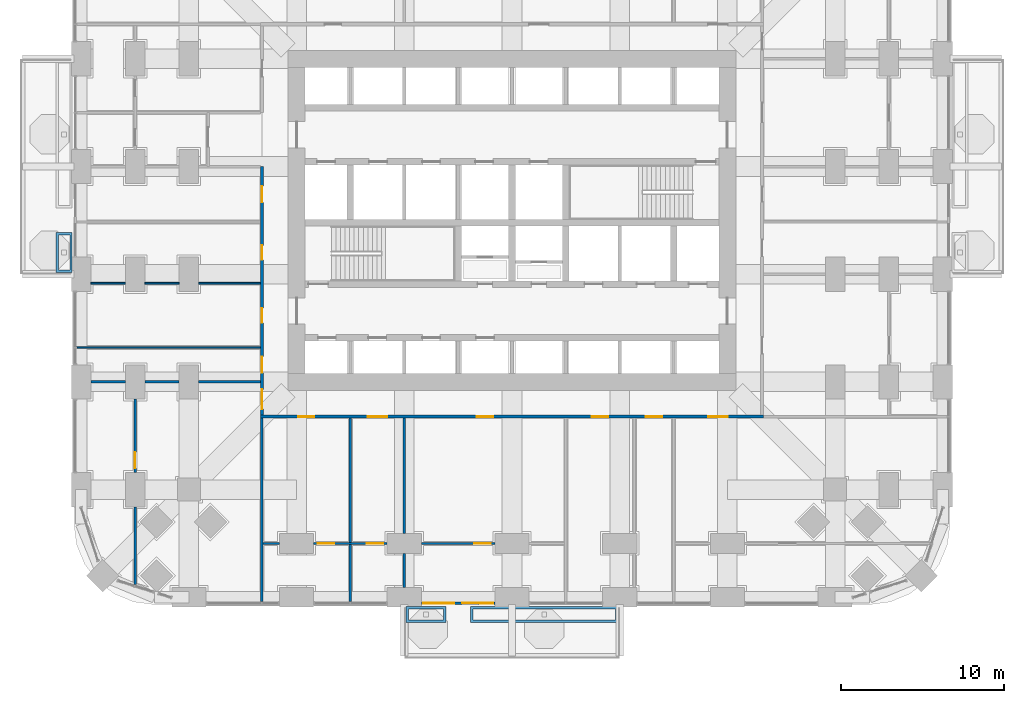
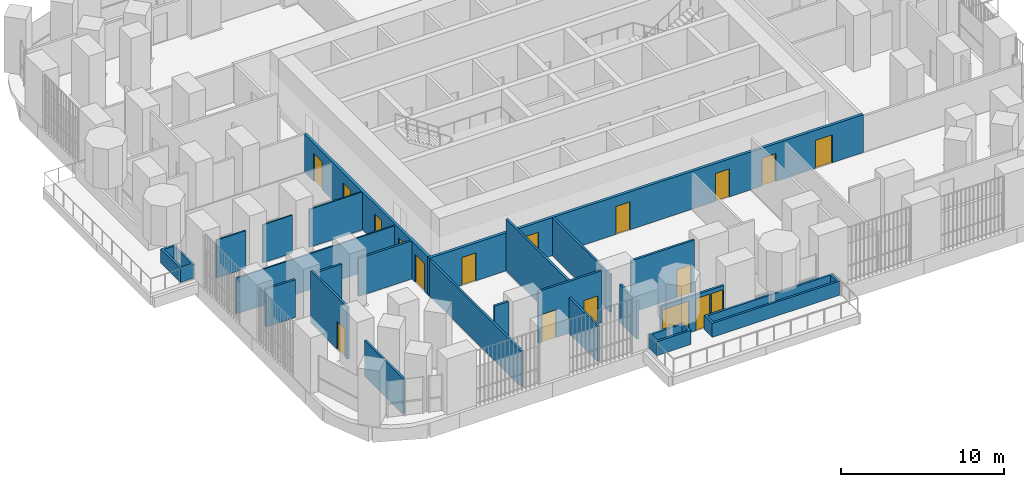
# One storey, part 17 of 26: 23 walls, 16 doors, 2 windows, 18 openings.
"""IFC4 building model written with IfcOpenShell, lengths in metres."""

from ifc_helpers import new_model, si_unit, direction, frame, frame_2d, origin, place, context, subcontext, project, spatial, polyline, rectangle, outline, extrude, material, layer, layer_set, type_object, element, fill, save


model = new_model("IFC4")

# Units and contexts
model_context = context("Model", 3, precision=1e-05, world=origin(), true_north=direction((0.0, 1.0)))
body_context = subcontext(model_context, "Body", "Model", "MODEL_VIEW")
ifc_project = project(units=[si_unit("LENGTHUNIT", "METRE"), si_unit("AREAUNIT", "SQUARE_METRE"), si_unit("VOLUMEUNIT", "CUBIC_METRE"), si_unit("PLANEANGLEUNIT", "RADIAN"), si_unit("MASSUNIT", "GRAM", prefix="KILO")], contexts=[model_context])

# Site, building, storey
site_placement = place(None, origin())
site = spatial("IfcSite", under=ifc_project, at=site_placement, CompositionType="ELEMENT")
building_placement = place(site_placement, origin())
building = spatial("IfcBuilding", under=site, at=building_placement, Name="Cobogo Forest Laboratory Tower", CompositionType="ELEMENT")
storey_placement = place(building_placement, frame((0.0, 0.0, 42.300048828125)))
storey = spatial("IfcBuildingStorey", under=building, at=storey_placement, Name="L09", CompositionType="ELEMENT", Elevation=42.300048828125)

# Wall, openings, door, windows
ifc_material_1 = material(Name="Aluminium framed glazed screen", Category="aluminium")
ifc_layer_1 = layer(ifc_material_1, 0.14990234375)
ifc_layer_set_1 = layer_set([ifc_layer_1], Name="GS1 glazed door screen 150")
wall_type_1 = type_object("IfcWallType", Name="GS1 glazed door screen 150", PredefinedType="SOLIDWALL", material=ifc_layer_set_1)
wall_1_placement = place(storey_placement, frame((20.85009765625, -0.35009765625, 0.0), z_axis=(0.0, 0.0, 1.0), x_axis=(1.0, 0.0, 0.0)))
wall_1 = element("IfcWall", 1, at=wall_1_placement, inside=storey, type_object=wall_type_1, Name="Door screen BAL-S1 L09", PredefinedType="SOLIDWALL", context=body_context, shape_type="SweptSolid", body=[
    extrude(rectangle(XDim=4.5, YDim=0.14990234375, at=frame_2d((2.25, 0.0))), origin(), (0.0, 0.0, 1.0), 2.699951171875),
])
opening_1_placement = place(wall_1_placement, frame((2.5, 0.0, 0.0)))
opening_1 = element("IfcOpeningElement", 2, at=opening_1_placement, cuts=wall_1, Name="Opening L09-D01", PredefinedType="OPENING", context=body_context, shape_type="SweptSolid", body=[
    extrude(rectangle(XDim=1.0, YDim=2.39990234375, at=frame_2d((0.5, 1.199951171875))), frame((0.0, 0.0849609375, 0.0), z_axis=(0.0, -1.0, 0.0), x_axis=(1.0, 0.0, 0.0)), (0.0, 0.0, 1.0), 0.169921875),
])
opening_2_placement = place(wall_1_placement, frame((0.10009765625, 0.0, 0.10009765625)))
opening_2 = element("IfcOpeningElement", 3, at=opening_2_placement, cuts=wall_1, Name="Opening L09-W01", PredefinedType="OPENING", context=body_context, shape_type="SweptSolid", body=[
    extrude(rectangle(XDim=1.89990234375, YDim=2.300048828125, at=frame_2d((0.949951171875, 1.14990234375))), frame((0.0, 0.0849609375, 0.0), z_axis=(0.0, -1.0, 0.0), x_axis=(1.0, 0.0, 0.0)), (0.0, 0.0, 1.0), 0.169921875),
])
opening_3_placement = place(wall_1_placement, frame((3.60009765625, 0.0, 0.10009765625)))
opening_3 = element("IfcOpeningElement", 4, at=opening_3_placement, cuts=wall_1, Name="Opening L09-W02", PredefinedType="OPENING", context=body_context, shape_type="SweptSolid", body=[
    extrude(rectangle(XDim=0.800048828125, YDim=2.300048828125, at=frame_2d((0.39990234375, 1.14990234375))), frame((0.0, 0.0849609375, 0.0), z_axis=(0.0, -1.0, 0.0), x_axis=(1.0, 0.0, 0.0)), (0.0, 0.0, 1.0), 0.169921875),
])
ifc_material_2 = material(Name="Aluminium glazed door", Category="aluminium")
door_type_1 = type_object("IfcDoorType", Name="DB1 balcony door 1000 glazed", OperationType="SINGLE_SWING_LEFT", PredefinedType="DOOR", material=ifc_material_2)
door_1_placement = place(opening_1_placement, origin())
door_1 = element("IfcDoor", 5, at=door_1_placement, inside=storey, type_object=door_type_1, Name="Door L09-BAL-S1", OperationType="SINGLE_SWING_RIGHT", OverallHeight=2.39990234375, OverallWidth=1.0, PredefinedType="DOOR", context=body_context, shape_type="SweptSolid", body=[
    extrude(rectangle(XDim=1.0, YDim=2.39990234375, at=frame_2d((0.5, 1.199951171875))), frame((0.0, 0.02490234375, 0.0), z_axis=(0.0, -1.0, 0.0), x_axis=(1.0, 0.0, 0.0)), (0.0, 0.0, 1.0), 0.050048828125),
])
fill(opening_1, door_1)
ifc_material_3 = material(Name="Aluminium framed glazing", Category="aluminium")
window_type_1 = type_object("IfcWindowType", Name="WG3 fixed glazed light 1900x2300", PartitioningType="SINGLE_PANEL", PredefinedType="WINDOW", material=ifc_material_3)
window_1_placement = place(opening_2_placement, origin())
window_1 = element("IfcWindow", 6, at=window_1_placement, inside=storey, type_object=window_type_1, Name="Window L09-BAL-S1-1", OverallHeight=2.300048828125, OverallWidth=1.89990234375, PartitioningType="SINGLE_PANEL", PredefinedType="WINDOW", context=body_context, shape_type="SweptSolid", body=[
    extrude(rectangle(XDim=1.89990234375, YDim=2.300048828125, at=frame_2d((0.949951171875, 1.14990234375))), frame((0.0, 0.030029296875, 0.0), z_axis=(0.0, -1.0, 0.0), x_axis=(1.0, 0.0, 0.0)), (0.0, 0.0, 1.0), 0.06005859375),
])
fill(opening_2, window_1)
window_type_2 = type_object("IfcWindowType", Name="WG4 fixed glazed light 800x2300", PartitioningType="SINGLE_PANEL", PredefinedType="WINDOW", material=ifc_material_3)
window_2_placement = place(opening_3_placement, origin())
window_2 = element("IfcWindow", 7, at=window_2_placement, inside=storey, type_object=window_type_2, Name="Window L09-BAL-S1-2", OverallHeight=2.300048828125, OverallWidth=0.800048828125, PartitioningType="SINGLE_PANEL", PredefinedType="WINDOW", context=body_context, shape_type="SweptSolid", body=[
    extrude(rectangle(XDim=0.800048828125, YDim=2.300048828125, at=frame_2d((0.39990234375, 1.14990234375))), frame((0.0, 0.030029296875, 0.0), z_axis=(0.0, -1.0, 0.0), x_axis=(1.0, 0.0, 0.0)), (0.0, 0.0, 1.0), 0.06005859375),
])
fill(opening_3, window_2)

# Walls
ifc_material_4 = material(Name="Gypsum board on steel studs", Category="steel")
ifc_layer_2 = layer(ifc_material_4, 0.14990234375)
ifc_layer_set_2 = layer_set([ifc_layer_2], Name="PT1 laboratory partition 150")
wall_type_2 = type_object("IfcWallType", Name="PT1 laboratory partition 150", PredefinedType="PARTITIONING", material=ifc_layer_set_2)
wall_2_placement = place(storey_placement, frame((11.074951171875, -0.27001953125, 0.0), z_axis=(0.0, 0.0, 1.0), x_axis=(0.0, 1.0, 0.0)))
element("IfcWall", 8, at=wall_2_placement, inside=storey, type_object=wall_type_2, Name="Partition PW-SW L09", PredefinedType="PARTITIONING", context=body_context, shape_type="SweptSolid", body=[
    extrude(rectangle(XDim=11.2451171875, YDim=0.14990234375, at=frame_2d((5.62255859375, 0.0))), origin(), (0.0, 0.0, 1.0), 2.699951171875),
])
wall_3_placement = place(storey_placement, frame((11.14990234375, 3.300048828125, 0.0), z_axis=(0.0, 0.0, 1.0), x_axis=(1.0, 0.0, 0.0)))
element("IfcWall", 9, at=wall_3_placement, inside=storey, type_object=wall_type_2, Name="Partition STRIP-S-1 L09", PredefinedType="PARTITIONING", context=body_context, shape_type="SweptSolid", body=[
    extrude(rectangle(XDim=1.0, YDim=0.14990234375, at=frame_2d((0.5, 0.0))), origin(), (0.0, 0.0, 1.0), 3.89990234375),
])

# Wall, openings, doors
wall_4_placement = place(storey_placement, frame((14.25, 3.300048828125, 0.0), z_axis=(0.0, 0.0, 1.0), x_axis=(1.0, 0.0, 0.0)))
wall_4 = element("IfcWall", 10, at=wall_4_placement, inside=storey, type_object=wall_type_2, Name="Partition STRIP-S-2 L09", PredefinedType="PARTITIONING", context=body_context, shape_type="SweptSolid", body=[
    extrude(rectangle(XDim=4.5, YDim=0.14990234375, at=frame_2d((2.25, 0.0))), origin(), (0.0, 0.0, 1.0), 3.89990234375),
])
opening_4_placement = place(wall_4_placement, frame((0.25, 0.0, 0.0)))
opening_4 = element("IfcOpeningElement", 11, at=opening_4_placement, cuts=wall_4, Name="Opening L09-D02", PredefinedType="OPENING", context=body_context, shape_type="SweptSolid", body=[
    extrude(rectangle(XDim=1.0, YDim=2.10009765625, at=frame_2d((0.5, 1.050048828125))), frame((0.0, 0.0849609375, 0.0), z_axis=(0.0, -1.0, 0.0), x_axis=(1.0, 0.0, 0.0)), (0.0, 0.0, 1.0), 0.169921875),
])
opening_5_placement = place(wall_4_placement, frame((3.25, 0.0, 0.0)))
opening_5 = element("IfcOpeningElement", 12, at=opening_5_placement, cuts=wall_4, Name="Opening L09-D03", PredefinedType="OPENING", context=body_context, shape_type="SweptSolid", body=[
    extrude(rectangle(XDim=1.0, YDim=2.10009765625, at=frame_2d((0.5, 1.050048828125))), frame((0.0, 0.0849609375, 0.0), z_axis=(0.0, -1.0, 0.0), x_axis=(1.0, 0.0, 0.0)), (0.0, 0.0, 1.0), 0.169921875),
])
ifc_material_5 = material(Name="Timber fire door", Category="wood")
door_type_2 = type_object("IfcDoorType", Name="FD2 fire door 1000 EI2 30", OperationType="SINGLE_SWING_LEFT", PredefinedType="DOOR", material=ifc_material_5)
door_2_placement = place(opening_4_placement, origin())
door_2 = element("IfcDoor", 13, at=door_2_placement, inside=storey, type_object=door_type_2, Name="Door L09-S1W", OperationType="SINGLE_SWING_LEFT", OverallHeight=2.10009765625, OverallWidth=1.0, PredefinedType="DOOR", context=body_context, shape_type="SweptSolid", body=[
    extrude(rectangle(XDim=1.0, YDim=2.10009765625, at=frame_2d((0.5, 1.050048828125))), frame((0.0, 0.02490234375, 0.0), z_axis=(0.0, -1.0, 0.0), x_axis=(1.0, 0.0, 0.0)), (0.0, 0.0, 1.0), 0.050048828125),
])
fill(opening_4, door_2)
door_3_placement = place(opening_5_placement, origin())
door_3 = element("IfcDoor", 14, at=door_3_placement, inside=storey, type_object=door_type_2, Name="Door L09-S2W", OperationType="SINGLE_SWING_RIGHT", OverallHeight=2.10009765625, OverallWidth=1.0, PredefinedType="DOOR", context=body_context, shape_type="SweptSolid", body=[
    extrude(rectangle(XDim=1.0, YDim=2.10009765625, at=frame_2d((0.5, 1.050048828125))), frame((0.0, 0.02490234375, 0.0), z_axis=(0.0, -1.0, 0.0), x_axis=(1.0, 0.0, 0.0)), (0.0, 0.0, 1.0), 0.050048828125),
])
fill(opening_5, door_3)

# Wall, opening, door
wall_5_placement = place(storey_placement, frame((20.85009765625, 3.300048828125, 0.0), z_axis=(0.0, 0.0, 1.0), x_axis=(1.0, 0.0, 0.0)))
wall_5 = element("IfcWall", 15, at=wall_5_placement, inside=storey, type_object=wall_type_2, Name="Partition STRIP-S-3 L09", PredefinedType="PARTITIONING", context=body_context, shape_type="SweptSolid", body=[
    extrude(rectangle(XDim=4.5, YDim=0.14990234375, at=frame_2d((2.25, 0.0))), origin(), (0.0, 0.0, 1.0), 3.89990234375),
])
opening_6_placement = place(wall_5_placement, frame((3.25, 0.0, 0.0)))
opening_6 = element("IfcOpeningElement", 16, at=opening_6_placement, cuts=wall_5, Name="Opening L09-D04", PredefinedType="OPENING", context=body_context, shape_type="SweptSolid", body=[
    extrude(rectangle(XDim=1.0, YDim=2.10009765625, at=frame_2d((0.5, 1.050048828125))), frame((0.0, 0.0849609375, 0.0), z_axis=(0.0, -1.0, 0.0), x_axis=(1.0, 0.0, 0.0)), (0.0, 0.0, 1.0), 0.169921875),
])
door_4_placement = place(opening_6_placement, origin())
door_4 = element("IfcDoor", 17, at=door_4_placement, inside=storey, type_object=door_type_2, Name="Door L09-S3W", OperationType="SINGLE_SWING_RIGHT", OverallHeight=2.10009765625, OverallWidth=1.0, PredefinedType="DOOR", context=body_context, shape_type="SweptSolid", body=[
    extrude(rectangle(XDim=1.0, YDim=2.10009765625, at=frame_2d((0.5, 1.050048828125))), frame((0.0, 0.02490234375, 0.0), z_axis=(0.0, -1.0, 0.0), x_axis=(1.0, 0.0, 0.0)), (0.0, 0.0, 1.0), 0.050048828125),
])
fill(opening_6, door_4)

# Walls
wall_6_placement = place(storey_placement, frame((16.5, -0.27001953125, 0.0), z_axis=(0.0, 0.0, 1.0), x_axis=(0.0, 1.0, 0.0)))
element("IfcWall", 18, at=wall_6_placement, inside=storey, type_object=wall_type_2, Name="Partition CUT-S16.5a-1 L09", PredefinedType="PARTITIONING", context=body_context, shape_type="SweptSolid", body=[
    extrude(rectangle(XDim=3.4951171875, YDim=0.14990234375, at=frame_2d((1.74755859375, 0.0))), origin(), (0.0, 0.0, 1.0), 2.699951171875),
])
wall_7_placement = place(storey_placement, frame((16.5, 3.375, 0.0), z_axis=(0.0, 0.0, 1.0), x_axis=(0.0, 1.0, 0.0)))
element("IfcWall", 19, at=wall_7_placement, inside=storey, type_object=wall_type_2, Name="Partition CUT-S16.5b-1 L09", PredefinedType="PARTITIONING", context=body_context, shape_type="SweptSolid", body=[
    extrude(rectangle(XDim=7.60009765625, YDim=0.14990234375, at=frame_2d((3.800048828125, 0.0))), origin(), (0.0, 0.0, 1.0), 3.89990234375),
])
wall_8_placement = place(storey_placement, frame((19.800048828125, 0.60009765625, 0.0), z_axis=(0.0, 0.0, 1.0), x_axis=(0.0, 1.0, 0.0)))
element("IfcWall", 20, at=wall_8_placement, inside=storey, type_object=wall_type_2, Name="Partition CUT-S19.8a-1 L09", PredefinedType="PARTITIONING", context=body_context, shape_type="SweptSolid", body=[
    extrude(rectangle(XDim=2.099853515625, YDim=0.14990234375, at=frame_2d((1.0498046875, 0.0))), origin(), (0.0, 0.0, 1.0), 2.849853515625),
])
wall_9_placement = place(storey_placement, frame((19.800048828125, 3.89990234375, 0.0), z_axis=(0.0, 0.0, 1.0), x_axis=(0.0, 1.0, 0.0)))
element("IfcWall", 21, at=wall_9_placement, inside=storey, type_object=wall_type_2, Name="Partition CUT-S19.8b-1 L09", PredefinedType="PARTITIONING", context=body_context, shape_type="SweptSolid", body=[
    extrude(rectangle(XDim=7.0751953125, YDim=0.14990234375, at=frame_2d((3.53759765625, 0.0))), origin(), (0.0, 0.0, 1.0), 2.849853515625),
])

# Wall, opening, door
wall_10_placement = place(storey_placement, frame((3.300048828125, 12.14990234375, 0.0), z_axis=(0.0, 0.0, 1.0), x_axis=(0.0, -1.0, 0.0)))
wall_10 = element("IfcWall", 22, at=wall_10_placement, inside=storey, type_object=wall_type_2, Name="Partition STRIP-W-3 L09", PredefinedType="PARTITIONING", context=body_context, shape_type="SweptSolid", body=[
    extrude(rectangle(XDim=4.5, YDim=0.14990234375, at=frame_2d((2.25, 0.0))), origin(), (0.0, 0.0, 1.0), 3.89990234375),
])
opening_7_placement = place(wall_10_placement, frame((3.25, 0.0, 0.0)))
opening_7 = element("IfcOpeningElement", 23, at=opening_7_placement, cuts=wall_10, Name="Opening L09-D06", PredefinedType="OPENING", context=body_context, shape_type="SweptSolid", body=[
    extrude(rectangle(XDim=1.0, YDim=2.10009765625, at=frame_2d((0.5, 1.050048828125))), frame((0.0, 0.0849609375, 0.0), z_axis=(0.0, -1.0, 0.0), x_axis=(1.0, 0.0, 0.0)), (0.0, 0.0, 1.0), 0.169921875),
])
door_5_placement = place(opening_7_placement, origin())
door_5 = element("IfcDoor", 24, at=door_5_placement, inside=storey, type_object=door_type_2, Name="Door L09-W1W", OperationType="SINGLE_SWING_RIGHT", OverallHeight=2.10009765625, OverallWidth=1.0, PredefinedType="DOOR", context=body_context, shape_type="SweptSolid", body=[
    extrude(rectangle(XDim=1.0, YDim=2.10009765625, at=frame_2d((0.5, 1.050048828125))), frame((0.0, 0.02490234375, 0.0), z_axis=(0.0, -1.0, 0.0), x_axis=(1.0, 0.0, 0.0)), (0.0, 0.0, 1.0), 0.050048828125),
])
fill(opening_7, door_5)

# Walls
wall_11_placement = place(storey_placement, frame((3.300048828125, 5.550048828125, 0.0), z_axis=(0.0, 0.0, 1.0), x_axis=(0.0, -1.0, 0.0)))
element("IfcWall", 25, at=wall_11_placement, inside=storey, type_object=wall_type_2, Name="Partition STRIP-W-4 L09", PredefinedType="PARTITIONING", context=body_context, shape_type="SweptSolid", body=[
    extrude(rectangle(XDim=4.77392578125, YDim=0.14990234375, at=frame_2d((2.386962890625, 0.0))), origin(), (0.0, 0.0, 1.0), 2.699951171875),
])
wall_12_placement = place(storey_placement, frame((0.60009765625, 13.199951171875, 0.0), z_axis=(0.0, 0.0, 1.0), x_axis=(1.0, 0.0, 0.0)))
element("IfcWall", 26, at=wall_12_placement, inside=storey, type_object=wall_type_2, Name="Partition CUT-W13.2-1 L09", PredefinedType="PARTITIONING", context=body_context, shape_type="SweptSolid", body=[
    extrude(rectangle(XDim=2.099853515625, YDim=0.14990234375, at=frame_2d((1.0498046875, 0.0))), origin(), (0.0, 0.0, 1.0), 2.849853515625),
])
wall_13_placement = place(storey_placement, frame((3.89990234375, 13.199951171875, 0.0), z_axis=(0.0, 0.0, 1.0), x_axis=(1.0, 0.0, 0.0)))
element("IfcWall", 27, at=wall_13_placement, inside=storey, type_object=wall_type_2, Name="Partition CUT-W13.2-2 L09", PredefinedType="PARTITIONING", context=body_context, shape_type="SweptSolid", body=[
    extrude(rectangle(XDim=2.10009765625, YDim=0.14990234375, at=frame_2d((1.050048828125, 0.0))), origin(), (0.0, 0.0, 1.0), 2.849853515625),
])
wall_14_placement = place(storey_placement, frame((7.199951171875, 13.199951171875, 0.0), z_axis=(0.0, 0.0, 1.0), x_axis=(1.0, 0.0, 0.0)))
element("IfcWall", 28, at=wall_14_placement, inside=storey, type_object=wall_type_2, Name="Partition CUT-W13.2-3 L09", PredefinedType="PARTITIONING", context=body_context, shape_type="SweptSolid", body=[
    extrude(rectangle(XDim=3.775146484375, YDim=0.14990234375, at=frame_2d((1.8876953125, 0.0))), origin(), (0.0, 0.0, 1.0), 2.849853515625),
])

# Wall, openings, doors
ifc_layer_3 = layer(ifc_material_4, 0.199951171875)
ifc_layer_set_3 = layer_set([ifc_layer_3], Name="PT2 fire-rated corridor partition 200")
wall_type_3 = type_object("IfcWallType", Name="PT2 fire-rated corridor partition 200", PredefinedType="PARTITIONING", material=ifc_layer_set_3)
wall_15_placement = place(storey_placement, frame((10.97509765625, 11.074951171875, 0.0), z_axis=(0.0, 0.0, 1.0), x_axis=(1.0, 0.0, 0.0)))
wall_15 = element("IfcWall", 29, at=wall_15_placement, inside=storey, type_object=wall_type_3, Name="Partition CORR-S L09", PredefinedType="PARTITIONING", context=body_context, shape_type="SweptSolid", body=[
    extrude(rectangle(XDim=30.849853515625, YDim=0.199951171875, at=frame_2d((15.4248046875, 0.0))), origin(), (0.0, 0.0, 1.0), 2.849853515625),
])
opening_8_placement = place(wall_15_placement, frame((2.3125, 0.0, 0.0)))
opening_8 = element("IfcOpeningElement", 30, at=opening_8_placement, cuts=wall_15, Name="Opening L09-D07", PredefinedType="OPENING", context=body_context, shape_type="SweptSolid", body=[
    extrude(rectangle(XDim=1.0, YDim=2.10009765625, at=frame_2d((0.5, 1.050048828125))), frame((0.0, 0.10986328125, 0.0), z_axis=(0.0, -1.0, 0.0), x_axis=(1.0, 0.0, 0.0)), (0.0, 0.0, 1.0), 0.219970703125),
])
opening_9_placement = place(wall_15_placement, frame((6.574951171875, 0.0, 0.0)))
opening_9 = element("IfcOpeningElement", 31, at=opening_9_placement, cuts=wall_15, Name="Opening L09-D08", PredefinedType="OPENING", context=body_context, shape_type="SweptSolid", body=[
    extrude(rectangle(XDim=1.199951171875, YDim=2.10009765625, at=frame_2d((0.60009765625, 1.050048828125))), frame((0.0, 0.10986328125, 0.0), z_axis=(0.0, -1.0, 0.0), x_axis=(1.0, 0.0, 0.0)), (0.0, 0.0, 1.0), 0.219970703125),
])
opening_10_placement = place(wall_15_placement, frame((13.27490234375, 0.0, 0.0)))
opening_10 = element("IfcOpeningElement", 32, at=opening_10_placement, cuts=wall_15, Name="Opening L09-D09", PredefinedType="OPENING", context=body_context, shape_type="SweptSolid", body=[
    extrude(rectangle(XDim=1.0, YDim=2.10009765625, at=frame_2d((0.5, 1.050048828125))), frame((0.0, 0.10986328125, 0.0), z_axis=(0.0, -1.0, 0.0), x_axis=(1.0, 0.0, 0.0)), (0.0, 0.0, 1.0), 0.219970703125),
])
opening_11_placement = place(wall_15_placement, frame((20.324951171875, 0.0, 0.0)))
opening_11 = element("IfcOpeningElement", 33, at=opening_11_placement, cuts=wall_15, Name="Opening L09-D10", PredefinedType="OPENING", context=body_context, shape_type="SweptSolid", body=[
    extrude(rectangle(XDim=1.0, YDim=2.10009765625, at=frame_2d((0.5, 1.050048828125))), frame((0.0, 0.10986328125, 0.0), z_axis=(0.0, -1.0, 0.0), x_axis=(1.0, 0.0, 0.0)), (0.0, 0.0, 1.0), 0.219970703125),
])
opening_12_placement = place(wall_15_placement, frame((23.625, 0.0, 0.0)))
opening_12 = element("IfcOpeningElement", 34, at=opening_12_placement, cuts=wall_15, Name="Opening L09-D11", PredefinedType="OPENING", context=body_context, shape_type="SweptSolid", body=[
    extrude(rectangle(XDim=1.0, YDim=2.10009765625, at=frame_2d((0.5, 1.050048828125))), frame((0.0, 0.10986328125, 0.0), z_axis=(0.0, -1.0, 0.0), x_axis=(1.0, 0.0, 0.0)), (0.0, 0.0, 1.0), 0.219970703125),
])
opening_13_placement = place(wall_15_placement, frame((27.4375, 0.0, 0.0)))
opening_13 = element("IfcOpeningElement", 35, at=opening_13_placement, cuts=wall_15, Name="Opening L09-D12", PredefinedType="OPENING", context=body_context, shape_type="SweptSolid", body=[
    extrude(rectangle(XDim=1.199951171875, YDim=2.10009765625, at=frame_2d((0.60009765625, 1.050048828125))), frame((0.0, 0.10986328125, 0.0), z_axis=(0.0, -1.0, 0.0), x_axis=(1.0, 0.0, 0.0)), (0.0, 0.0, 1.0), 0.219970703125),
])
ifc_material_6 = material(Name="Timber door", Category="wood")
door_type_3 = type_object("IfcDoorType", Name="D2 laboratory door 1200 unequal pair", OperationType="DOUBLE_DOOR_SINGLE_SWING", PredefinedType="DOOR", material=ifc_material_6)
door_6_placement = place(opening_9_placement, origin())
door_6 = element("IfcDoor", 36, at=door_6_placement, inside=storey, type_object=door_type_3, Name="Door L09-S2", OperationType="DOUBLE_DOOR_SINGLE_SWING", OverallHeight=2.10009765625, OverallWidth=1.199951171875, PredefinedType="DOOR", context=body_context, shape_type="SweptSolid", body=[
    extrude(rectangle(XDim=1.199951171875, YDim=2.10009765625, at=frame_2d((0.60009765625, 1.050048828125))), frame((0.0, 0.02490234375, 0.0), z_axis=(0.0, -1.0, 0.0), x_axis=(1.0, 0.0, 0.0)), (0.0, 0.0, 1.0), 0.050048828125),
])
fill(opening_9, door_6)
door_7_placement = place(opening_13_placement, origin())
door_7 = element("IfcDoor", 37, at=door_7_placement, inside=storey, type_object=door_type_3, Name="Door L09-S4", OperationType="DOUBLE_DOOR_SINGLE_SWING", OverallHeight=2.10009765625, OverallWidth=1.199951171875, PredefinedType="DOOR", context=body_context, shape_type="SweptSolid", body=[
    extrude(rectangle(XDim=1.199951171875, YDim=2.10009765625, at=frame_2d((0.60009765625, 1.050048828125))), frame((0.0, 0.02490234375, 0.0), z_axis=(0.0, -1.0, 0.0), x_axis=(1.0, 0.0, 0.0)), (0.0, 0.0, 1.0), 0.050048828125),
])
fill(opening_13, door_7)
door_8_placement = place(opening_8_placement, origin())
door_8 = element("IfcDoor", 38, at=door_8_placement, inside=storey, type_object=door_type_2, Name="Door L09-S1", OperationType="SINGLE_SWING_LEFT", OverallHeight=2.10009765625, OverallWidth=1.0, PredefinedType="DOOR", context=body_context, shape_type="SweptSolid", body=[
    extrude(rectangle(XDim=1.0, YDim=2.10009765625, at=frame_2d((0.5, 1.050048828125))), frame((0.0, 0.02490234375, 0.0), z_axis=(0.0, -1.0, 0.0), x_axis=(1.0, 0.0, 0.0)), (0.0, 0.0, 1.0), 0.050048828125),
])
fill(opening_8, door_8)
door_9_placement = place(opening_10_placement, origin())
door_9 = element("IfcDoor", 39, at=door_9_placement, inside=storey, type_object=door_type_2, Name="Door L09-S3", OperationType="SINGLE_SWING_LEFT", OverallHeight=2.10009765625, OverallWidth=1.0, PredefinedType="DOOR", context=body_context, shape_type="SweptSolid", body=[
    extrude(rectangle(XDim=1.0, YDim=2.10009765625, at=frame_2d((0.5, 1.050048828125))), frame((0.0, 0.02490234375, 0.0), z_axis=(0.0, -1.0, 0.0), x_axis=(1.0, 0.0, 0.0)), (0.0, 0.0, 1.0), 0.050048828125),
])
fill(opening_10, door_9)
door_10_placement = place(opening_11_placement, origin())
door_10 = element("IfcDoor", 40, at=door_10_placement, inside=storey, type_object=door_type_2, Name="Door L09-MTG", OperationType="SINGLE_SWING_RIGHT", OverallHeight=2.10009765625, OverallWidth=1.0, PredefinedType="DOOR", context=body_context, shape_type="SweptSolid", body=[
    extrude(rectangle(XDim=1.0, YDim=2.10009765625, at=frame_2d((0.5, 1.050048828125))), frame((0.0, 0.02490234375, 0.0), z_axis=(0.0, -1.0, 0.0), x_axis=(1.0, 0.0, 0.0)), (0.0, 0.0, 1.0), 0.050048828125),
])
fill(opening_11, door_10)
door_11_placement = place(opening_12_placement, origin())
door_11 = element("IfcDoor", 41, at=door_11_placement, inside=storey, type_object=door_type_2, Name="Door L09-PAN", OperationType="SINGLE_SWING_RIGHT", OverallHeight=2.10009765625, OverallWidth=1.0, PredefinedType="DOOR", context=body_context, shape_type="SweptSolid", body=[
    extrude(rectangle(XDim=1.0, YDim=2.10009765625, at=frame_2d((0.5, 1.050048828125))), frame((0.0, 0.02490234375, 0.0), z_axis=(0.0, -1.0, 0.0), x_axis=(1.0, 0.0, 0.0)), (0.0, 0.0, 1.0), 0.050048828125),
])
fill(opening_12, door_11)

wall_16_placement = place(storey_placement, frame((11.074951171875, 11.175048828125, 0.0), z_axis=(0.0, 0.0, 1.0), x_axis=(0.0, 1.0, 0.0)))
wall_16 = element("IfcWall", 42, at=wall_16_placement, inside=storey, type_object=wall_type_3, Name="Partition CORR-W-1 L09", PredefinedType="PARTITIONING", context=body_context, shape_type="SweptSolid", body=[
    extrude(rectangle(XDim=15.224853515625, YDim=0.199951171875, at=frame_2d((7.6123046875, 0.0))), origin(), (0.0, 0.0, 1.0), 2.849853515625),
])
opening_14_placement = place(wall_16_placement, frame((0.362548828125, 0.0, 0.0)))
opening_14 = element("IfcOpeningElement", 43, at=opening_14_placement, cuts=wall_16, Name="Opening L09-D13", PredefinedType="OPENING", context=body_context, shape_type="SweptSolid", body=[
    extrude(rectangle(XDim=1.199951171875, YDim=2.10009765625, at=frame_2d((0.60009765625, 1.050048828125))), frame((0.0, 0.10986328125, 0.0), z_axis=(0.0, -1.0, 0.0), x_axis=(1.0, 0.0, 0.0)), (0.0, 0.0, 1.0), 0.219970703125),
])
opening_15_placement = place(wall_16_placement, frame((2.574951171875, 0.0, 0.0)))
opening_15 = element("IfcOpeningElement", 44, at=opening_15_placement, cuts=wall_16, Name="Opening L09-D14", PredefinedType="OPENING", context=body_context, shape_type="SweptSolid", body=[
    extrude(rectangle(XDim=1.0, YDim=2.10009765625, at=frame_2d((0.5, 1.050048828125))), frame((0.0, 0.10986328125, 0.0), z_axis=(0.0, -1.0, 0.0), x_axis=(1.0, 0.0, 0.0)), (0.0, 0.0, 1.0), 0.219970703125),
])
opening_16_placement = place(wall_16_placement, frame((5.64990234375, 0.0, 0.0)))
opening_16 = element("IfcOpeningElement", 45, at=opening_16_placement, cuts=wall_16, Name="Opening L09-D17", PredefinedType="OPENING", context=body_context, shape_type="SweptSolid", body=[
    extrude(rectangle(XDim=0.89990234375, YDim=2.10009765625, at=frame_2d((0.449951171875, 1.050048828125))), frame((0.0, 0.10986328125, 0.0), z_axis=(0.0, -1.0, 0.0), x_axis=(1.0, 0.0, 0.0)), (0.0, 0.0, 1.0), 0.219970703125),
])
opening_17_placement = place(wall_16_placement, frame((9.5, 0.0, 0.0)))
opening_17 = element("IfcOpeningElement", 46, at=opening_17_placement, cuts=wall_16, Name="Opening L09-D25", PredefinedType="OPENING", context=body_context, shape_type="SweptSolid", body=[
    extrude(rectangle(XDim=0.89990234375, YDim=2.10009765625, at=frame_2d((0.449951171875, 1.050048828125))), frame((0.0, 0.10986328125, 0.0), z_axis=(0.0, -1.0, 0.0), x_axis=(1.0, 0.0, 0.0)), (0.0, 0.0, 1.0), 0.219970703125),
])
opening_18_placement = place(wall_16_placement, frame((13.02490234375, 0.0, 0.0)))
opening_18 = element("IfcOpeningElement", 47, at=opening_18_placement, cuts=wall_16, Name="Opening L09-D29", PredefinedType="OPENING", context=body_context, shape_type="SweptSolid", body=[
    extrude(rectangle(XDim=1.0, YDim=2.10009765625, at=frame_2d((0.5, 1.050048828125))), frame((0.0, 0.10986328125, 0.0), z_axis=(0.0, -1.0, 0.0), x_axis=(1.0, 0.0, 0.0)), (0.0, 0.0, 1.0), 0.219970703125),
])
door_12_placement = place(opening_14_placement, origin())
door_12 = element("IfcDoor", 48, at=door_12_placement, inside=storey, type_object=door_type_3, Name="Door L09-W1", OperationType="DOUBLE_DOOR_SINGLE_SWING", OverallHeight=2.10009765625, OverallWidth=1.199951171875, PredefinedType="DOOR", context=body_context, shape_type="SweptSolid", body=[
    extrude(rectangle(XDim=1.199951171875, YDim=2.10009765625, at=frame_2d((0.60009765625, 1.050048828125))), frame((0.0, 0.02490234375, 0.0), z_axis=(0.0, -1.0, 0.0), x_axis=(1.0, 0.0, 0.0)), (0.0, 0.0, 1.0), 0.050048828125),
])
fill(opening_14, door_12)
door_13_placement = place(opening_18_placement, origin())
door_13 = element("IfcDoor", 49, at=door_13_placement, inside=storey, type_object=door_type_2, Name="Door L09-SHW", OperationType="SINGLE_SWING_RIGHT", OverallHeight=2.10009765625, OverallWidth=1.0, PredefinedType="DOOR", context=body_context, shape_type="SweptSolid", body=[
    extrude(rectangle(XDim=1.0, YDim=2.10009765625, at=frame_2d((0.5, 1.050048828125))), frame((0.0, 0.02490234375, 0.0), z_axis=(0.0, -1.0, 0.0), x_axis=(1.0, 0.0, 0.0)), (0.0, 0.0, 1.0), 0.050048828125),
])
fill(opening_18, door_13)
door_type_4 = type_object("IfcDoorType", Name="FD3 toilet fire door 900 EI2 30", OperationType="SINGLE_SWING_LEFT", PredefinedType="DOOR", material=ifc_material_5)
door_14_placement = place(opening_16_placement, origin())
door_14 = element("IfcDoor", 50, at=door_14_placement, inside=storey, type_object=door_type_4, Name="Door L09-WCF", OperationType="SINGLE_SWING_LEFT", OverallHeight=2.10009765625, OverallWidth=0.89990234375, PredefinedType="DOOR", context=body_context, shape_type="SweptSolid", body=[
    extrude(rectangle(XDim=0.89990234375, YDim=2.10009765625, at=frame_2d((0.449951171875, 1.050048828125))), frame((0.0, 0.02490234375, 0.0), z_axis=(0.0, -1.0, 0.0), x_axis=(1.0, 0.0, 0.0)), (0.0, 0.0, 1.0), 0.050048828125),
])
fill(opening_16, door_14)
door_15_placement = place(opening_17_placement, origin())
door_15 = element("IfcDoor", 51, at=door_15_placement, inside=storey, type_object=door_type_4, Name="Door L09-WCM", OperationType="SINGLE_SWING_RIGHT", OverallHeight=2.10009765625, OverallWidth=0.89990234375, PredefinedType="DOOR", context=body_context, shape_type="SweptSolid", body=[
    extrude(rectangle(XDim=0.89990234375, YDim=2.10009765625, at=frame_2d((0.449951171875, 1.050048828125))), frame((0.0, 0.02490234375, 0.0), z_axis=(0.0, -1.0, 0.0), x_axis=(1.0, 0.0, 0.0)), (0.0, 0.0, 1.0), 0.050048828125),
])
fill(opening_17, door_15)
door_type_5 = type_object("IfcDoorType", Name="FDA1 accessible toilet fire door 1000 EI2 30", OperationType="SINGLE_SWING_RIGHT", PredefinedType="DOOR", material=ifc_material_5)
door_16_placement = place(opening_15_placement, origin())
door_16 = element("IfcDoor", 52, at=door_16_placement, inside=storey, type_object=door_type_5, Name="Door L09-WCA", OperationType="SINGLE_SWING_LEFT", OverallHeight=2.10009765625, OverallWidth=1.0, PredefinedType="DOOR", context=body_context, shape_type="SweptSolid", body=[
    extrude(rectangle(XDim=1.0, YDim=2.10009765625, at=frame_2d((0.5, 1.050048828125))), frame((0.0, 0.02490234375, 0.0), z_axis=(0.0, -1.0, 0.0), x_axis=(1.0, 0.0, 0.0)), (0.0, 0.0, 1.0), 0.050048828125),
])
fill(opening_15, door_16)

# Walls
ifc_layer_4 = layer(ifc_material_4, 0.10009765625)
ifc_layer_set_4 = layer_set([ifc_layer_4], Name="PT3 toilet partition 100")
wall_type_4 = type_object("IfcWallType", Name="PT3 toilet partition 100", PredefinedType="PARTITIONING", material=ifc_layer_set_4)
wall_17_placement = place(storey_placement, frame((-0.27001953125, 15.300048828125, 0.0), z_axis=(0.0, 0.0, 1.0), x_axis=(1.0, 0.0, 0.0)))
element("IfcWall", 53, at=wall_17_placement, inside=storey, type_object=wall_type_4, Name="Partition SVC-W1-1 L09", PredefinedType="PARTITIONING", context=body_context, shape_type="SweptSolid", body=[
    extrude(rectangle(XDim=11.2451171875, YDim=0.10009765625, at=frame_2d((5.62255859375, 0.0))), origin(), (0.0, 0.0, 1.0), 2.699951171875),
])
wall_18_placement = place(storey_placement, frame((0.60009765625, 19.25, 0.0), z_axis=(0.0, 0.0, 1.0), x_axis=(1.0, 0.0, 0.0)))
element("IfcWall", 54, at=wall_18_placement, inside=storey, type_object=wall_type_4, Name="Partition SVC-W2-1 L09", PredefinedType="PARTITIONING", context=body_context, shape_type="SweptSolid", body=[
    extrude(rectangle(XDim=2.099853515625, YDim=0.10009765625, at=frame_2d((1.0498046875, 0.0))), origin(), (0.0, 0.0, 1.0), 2.849853515625),
])
wall_19_placement = place(storey_placement, frame((3.89990234375, 19.25, 0.0), z_axis=(0.0, 0.0, 1.0), x_axis=(1.0, 0.0, 0.0)))
element("IfcWall", 55, at=wall_19_placement, inside=storey, type_object=wall_type_4, Name="Partition SVC-W2-2 L09", PredefinedType="PARTITIONING", context=body_context, shape_type="SweptSolid", body=[
    extrude(rectangle(XDim=2.10009765625, YDim=0.10009765625, at=frame_2d((1.050048828125, 0.0))), origin(), (0.0, 0.0, 1.0), 2.849853515625),
])
wall_20_placement = place(storey_placement, frame((7.199951171875, 19.25, 0.0), z_axis=(0.0, 0.0, 1.0), x_axis=(1.0, 0.0, 0.0)))
element("IfcWall", 56, at=wall_20_placement, inside=storey, type_object=wall_type_4, Name="Partition SVC-W2-3 L09", PredefinedType="PARTITIONING", context=body_context, shape_type="SweptSolid", body=[
    extrude(rectangle(XDim=3.775146484375, YDim=0.10009765625, at=frame_2d((1.8876953125, 0.0))), origin(), (0.0, 0.0, 1.0), 2.849853515625),
])
ifc_material_7 = material(Name="Concrete HA-40 (C40/50)", Category="concrete")
ifc_layer_5 = layer(ifc_material_7, 0.14990234375)
ifc_layer_set_5 = layer_set([ifc_layer_5], Name="Planter box 1000x1050")
wall_type_5 = type_object("IfcWallType", Name="Planter box 1000x1050", PredefinedType="USERDEFINED", material=ifc_layer_set_5)
wall_21_placement = place(storey_placement, origin())
element("IfcWall", 57, at=wall_21_placement, inside=storey, type_object=wall_type_5, Name="Planter BAL-S1-1 L09", ObjectType="PLANTER", PredefinedType="USERDEFINED", context=body_context, shape_type="SweptSolid", body=[
    extrude(outline(polyline([(19.89990234375, -1.550048828125), (22.35009765625, -1.550048828125), (22.35009765625, -0.550048828125), (19.89990234375, -0.550048828125), (19.89990234375, -1.550048828125)]), holes=[polyline([(20.050048828125, -1.39990234375), (22.199951171875, -1.39990234375), (22.199951171875, -0.699951171875), (20.050048828125, -0.699951171875), (20.050048828125, -1.39990234375)])]), origin(), (0.0, 0.0, 1.0), 1.050048828125),
])
wall_22_placement = place(storey_placement, origin())
element("IfcWall", 58, at=wall_22_placement, inside=storey, type_object=wall_type_5, Name="Planter BAL-S1-2 L09", ObjectType="PLANTER", PredefinedType="USERDEFINED", context=body_context, shape_type="SweptSolid", body=[
    extrude(outline(polyline([(23.85009765625, -1.550048828125), (32.89990234375, -1.550048828125), (32.89990234375, -0.550048828125), (23.85009765625, -0.550048828125), (23.85009765625, -1.550048828125)]), holes=[polyline([(24.0, -1.39990234375), (32.75, -1.39990234375), (32.75, -0.699951171875), (24.0, -0.699951171875), (24.0, -1.39990234375)])]), origin(), (0.0, 0.0, 1.0), 1.050048828125),
])
wall_23_placement = place(storey_placement, origin())
element("IfcWall", 59, at=wall_23_placement, inside=storey, type_object=wall_type_5, Name="Planter BAL-W1-1 L09", ObjectType="PLANTER", PredefinedType="USERDEFINED", context=body_context, shape_type="SweptSolid", body=[
    extrude(outline(polyline([(-1.550048828125, 19.89990234375), (-0.550048828125, 19.89990234375), (-0.550048828125, 22.35009765625), (-1.550048828125, 22.35009765625), (-1.550048828125, 19.89990234375)]), holes=[polyline([(-1.39990234375, 20.050048828125), (-0.699951171875, 20.050048828125), (-0.699951171875, 22.199951171875), (-1.39990234375, 22.199951171875), (-1.39990234375, 20.050048828125)])]), origin(), (0.0, 0.0, 1.0), 1.050048828125),
])

save(model, "model.ifc")
